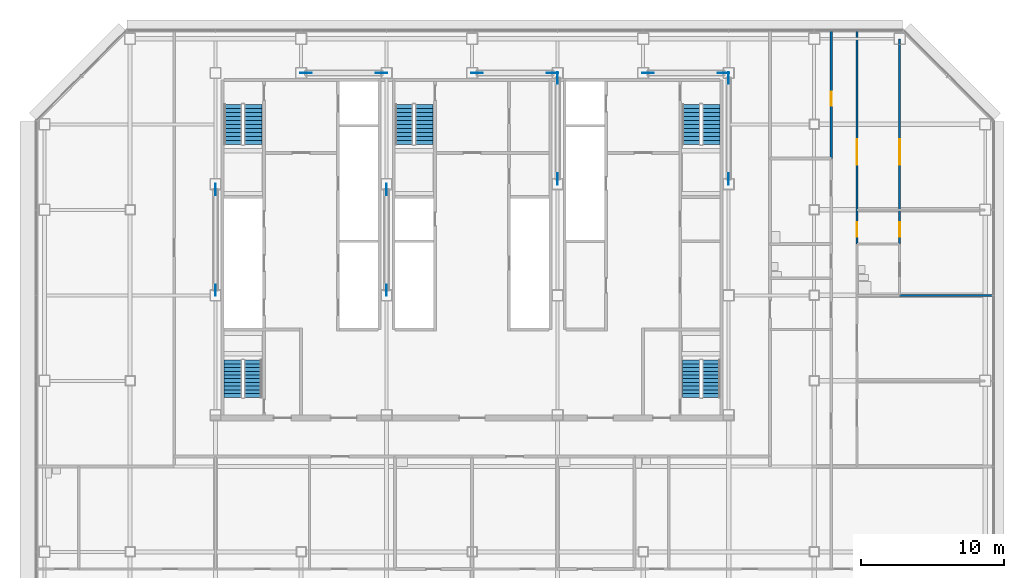
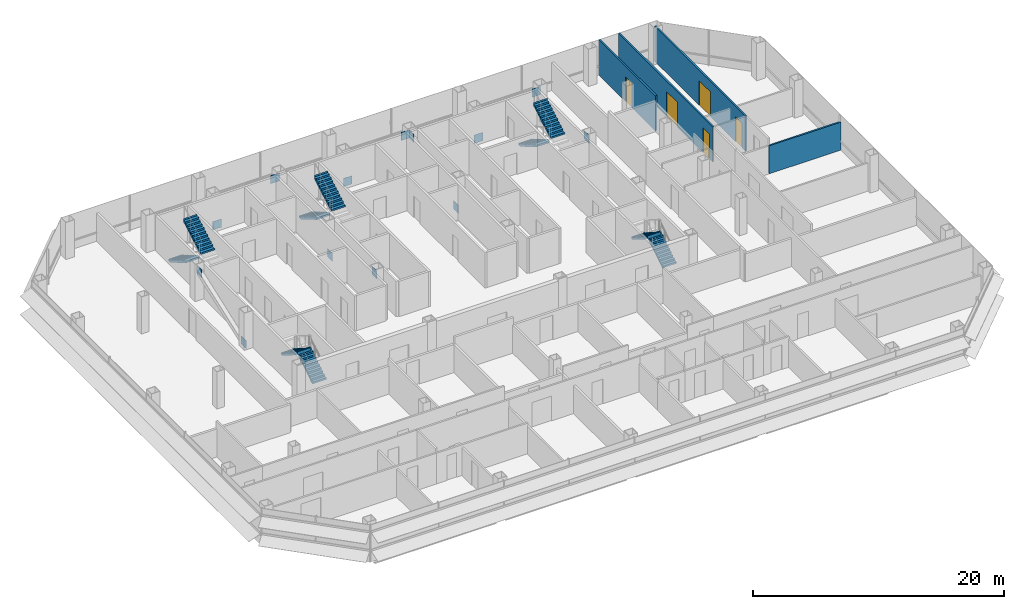
# One storey, part 23 of 25: 14 discrete accessories, 10 stair flights, 5 doors, 4 walls, 5 openings, 5 elements without a shape of their own.
"""IFC4 building model written with IfcOpenShell, lengths in metres."""

from ifc_helpers import new_model, si_unit, direction, frame, frame_2d, origin, origin_2d, place, context, subcontext, project, spatial, polyline, rectangle, outline, extrude, material, layer, layer_set, type_object, element, fill, aggregate, save


model = new_model("IFC4")

# Units and contexts
model_context = context("Model", 3, precision=1e-05, world=origin(), true_north=direction((0.0, 1.0)))
body_context = subcontext(model_context, "Body", "Model", "MODEL_VIEW")
ifc_project = project(units=[si_unit("LENGTHUNIT", "METRE"), si_unit("AREAUNIT", "SQUARE_METRE"), si_unit("VOLUMEUNIT", "CUBIC_METRE"), si_unit("PLANEANGLEUNIT", "RADIAN"), si_unit("MASSUNIT", "GRAM", prefix="KILO")], contexts=[model_context])

# Site, building, storey
site_placement = place(None, origin())
site = spatial("IfcSite", under=ifc_project, at=site_placement, CompositionType="ELEMENT")
building_placement = place(site_placement, origin())
building = spatial("IfcBuilding", under=site, at=building_placement, Name="Sorahane Residences", CompositionType="ELEMENT")
storey_placement = place(building_placement, frame((0.0, 0.0, 119.60009765625)))
storey = spatial("IfcBuildingStorey", under=building, at=storey_placement, Name="L26", CompositionType="ELEMENT", Elevation=119.60009765625)

# Wall, opening, door
ifc_material_1 = material(Name="Gypsum board partition on steel studs", Category="steel")
ifc_layer_1 = layer(ifc_material_1, 0.14990234375)
ifc_layer_set_1 = layer_set([ifc_layer_1], Name="Partition 150 EI 90")
wall_type = type_object("IfcWallType", Name="Partition 150 EI 90", PredefinedType="PARTITIONING", material=ifc_layer_set_1)
wall_1_placement = place(storey_placement, frame((49.199951171875, 39.60009765625, 0.0), z_axis=(0.0, 0.0, 1.0), x_axis=(0.0, 1.0, 0.0)))
wall_1 = element("IfcWall", 1, at=wall_1_placement, inside=storey, type_object=wall_type, Name="L26 partition", PredefinedType="PARTITIONING", context=body_context, shape_type="SweptSolid", body=[
    extrude(rectangle(XDim=9.0, YDim=0.14990234375, at=frame_2d((4.5, 0.0))), origin(), (0.0, 0.0, 1.0), 3.419921875),
])
opening_1_placement = place(wall_1_placement, frame((3.699951171875, 0.0, 0.0)))
opening_1 = element("IfcOpeningElement", 2, at=opening_1_placement, cuts=wall_1, Name="Opening L26-32", PredefinedType="OPENING", context=body_context, shape_type="SweptSolid", body=[
    extrude(rectangle(XDim=1.0, YDim=2.39990234375, at=frame_2d((0.5, 1.199951171875))), frame((0.0, 0.0849609375, 0.0), z_axis=(0.0, -1.0, 0.0), x_axis=(1.0, 0.0, 0.0)), (0.0, 0.0, 1.0), 0.169921875),
])
ifc_material_2 = material(Name="Timber veneered fire door", Category="wood")
door_type_1 = type_object("IfcDoorType", Name="Room door 1000x2400 FD30", OperationType="NOTDEFINED", PredefinedType="DOOR", material=ifc_material_2)
door_1_placement = place(opening_1_placement, origin())
door_1 = element("IfcDoor", 3, at=door_1_placement, inside=storey, type_object=door_type_1, Name="Room door L26-32", OperationType="SINGLE_SWING_RIGHT", OverallHeight=2.39990234375, OverallWidth=1.0, PredefinedType="DOOR", context=body_context, shape_type="SweptSolid", body=[
    extrude(rectangle(XDim=1.0, YDim=2.39990234375, at=frame_2d((0.5, 1.199951171875))), frame((0.0, 0.02490234375, 0.0), z_axis=(0.0, -1.0, 0.0), x_axis=(1.0, 0.0, 0.0)), (0.0, 0.0, 1.0), 0.050048828125),
])
fill(opening_1, door_1)

# Wall, openings, doors
wall_2_placement = place(storey_placement, frame((51.0, 33.60009765625, 0.0), z_axis=(0.0, 0.0, 1.0), x_axis=(0.0, 1.0, 0.0)))
wall_2 = element("IfcWall", 4, at=wall_2_placement, inside=storey, type_object=wall_type, Name="L26 partition", PredefinedType="PARTITIONING", context=body_context, shape_type="SweptSolid", body=[
    extrude(rectangle(XDim=15.0, YDim=0.14990234375, at=frame_2d((7.5, 0.0))), origin(), (0.0, 0.0, 1.0), 3.419921875),
])
opening_2_placement = place(wall_2_placement, frame((0.52001953125, 0.0, 0.0)))
opening_2 = element("IfcOpeningElement", 5, at=opening_2_placement, cuts=wall_2, Name="Opening L26-35", PredefinedType="OPENING", context=body_context, shape_type="SweptSolid", body=[
    extrude(rectangle(XDim=1.0, YDim=2.39990234375, at=frame_2d((0.5, 1.199951171875))), frame((0.0, 0.0849609375, 0.0), z_axis=(0.0, -1.0, 0.0), x_axis=(1.0, 0.0, 0.0)), (0.0, 0.0, 1.0), 0.169921875),
])
opening_3_placement = place(wall_2_placement, frame((5.56005859375, 0.0, 0.0)))
opening_3 = element("IfcOpeningElement", 6, at=opening_3_placement, cuts=wall_2, Name="Opening L26-36", PredefinedType="OPENING", context=body_context, shape_type="SweptSolid", body=[
    extrude(rectangle(XDim=1.800048828125, YDim=2.39990234375, at=frame_2d((0.89990234375, 1.199951171875))), frame((0.0, 0.0849609375, 0.0), z_axis=(0.0, -1.0, 0.0), x_axis=(1.0, 0.0, 0.0)), (0.0, 0.0, 1.0), 0.169921875),
])
ifc_material_3 = material(Name="Timber veneered fire door", Category="wood")
door_type_2 = type_object("IfcDoorType", Name="Double door 1800x2400 FD30", OperationType="NOTDEFINED", PredefinedType="DOOR", material=ifc_material_3)
door_2_placement = place(opening_3_placement, frame((1.800048828125, 0.0, 0.0), z_axis=(0.0, 0.0, 1.0), x_axis=(-1.0, 0.0, 0.0)))
door_2 = element("IfcDoor", 7, at=door_2_placement, inside=storey, type_object=door_type_2, Name="Double door L26-36", OperationType="SINGLE_SWING_RIGHT", OverallHeight=2.39990234375, OverallWidth=1.800048828125, PredefinedType="DOOR", context=body_context, shape_type="SweptSolid", body=[
    extrude(rectangle(XDim=1.800048828125, YDim=2.39990234375, at=frame_2d((0.89990234375, 1.199951171875))), frame((0.0, 0.02490234375, 0.0), z_axis=(0.0, -1.0, 0.0), x_axis=(1.0, 0.0, 0.0)), (0.0, 0.0, 1.0), 0.050048828125),
])
fill(opening_3, door_2)
door_3_placement = place(opening_2_placement, frame((1.0, 0.0, 0.0), z_axis=(0.0, 0.0, 1.0), x_axis=(-1.0, 0.0, 0.0)))
door_3 = element("IfcDoor", 8, at=door_3_placement, inside=storey, type_object=door_type_1, Name="Room door L26-35", OperationType="SINGLE_SWING_LEFT", OverallHeight=2.39990234375, OverallWidth=1.0, PredefinedType="DOOR", context=body_context, shape_type="SweptSolid", body=[
    extrude(rectangle(XDim=1.0, YDim=2.39990234375, at=frame_2d((0.5, 1.199951171875))), frame((0.0, 0.02490234375, 0.0), z_axis=(0.0, -1.0, 0.0), x_axis=(1.0, 0.0, 0.0)), (0.0, 0.0, 1.0), 0.050048828125),
])
fill(opening_2, door_3)

wall_3_placement = place(storey_placement, frame((54.0, 33.60009765625, 0.0), z_axis=(0.0, 0.0, 1.0), x_axis=(0.0, 1.0, 0.0)))
wall_3 = element("IfcWall", 9, at=wall_3_placement, inside=storey, type_object=wall_type, Name="L26 partition", PredefinedType="PARTITIONING", context=body_context, shape_type="SweptSolid", body=[
    extrude(rectangle(XDim=14.39990234375, YDim=0.14990234375, at=frame_2d((7.199951171875, 0.0))), origin(), (0.0, 0.0, 1.0), 3.419921875),
])
opening_4_placement = place(wall_3_placement, frame((0.52001953125, 0.0, 0.0)))
opening_4 = element("IfcOpeningElement", 10, at=opening_4_placement, cuts=wall_3, Name="Opening L26-37", PredefinedType="OPENING", context=body_context, shape_type="SweptSolid", body=[
    extrude(rectangle(XDim=1.0, YDim=2.39990234375, at=frame_2d((0.5, 1.199951171875))), frame((0.0, 0.0849609375, 0.0), z_axis=(0.0, -1.0, 0.0), x_axis=(1.0, 0.0, 0.0)), (0.0, 0.0, 1.0), 0.169921875),
])
opening_5_placement = place(wall_3_placement, frame((5.56005859375, 0.0, 0.0)))
opening_5 = element("IfcOpeningElement", 11, at=opening_5_placement, cuts=wall_3, Name="Opening L26-39", PredefinedType="OPENING", context=body_context, shape_type="SweptSolid", body=[
    extrude(rectangle(XDim=1.800048828125, YDim=2.39990234375, at=frame_2d((0.89990234375, 1.199951171875))), frame((0.0, 0.0849609375, 0.0), z_axis=(0.0, -1.0, 0.0), x_axis=(1.0, 0.0, 0.0)), (0.0, 0.0, 1.0), 0.169921875),
])
door_4_placement = place(opening_5_placement, frame((1.800048828125, 0.0, 0.0), z_axis=(0.0, 0.0, 1.0), x_axis=(-1.0, 0.0, 0.0)))
door_4 = element("IfcDoor", 12, at=door_4_placement, inside=storey, type_object=door_type_2, Name="Double door L26-39", OperationType="SINGLE_SWING_LEFT", OverallHeight=2.39990234375, OverallWidth=1.800048828125, PredefinedType="DOOR", context=body_context, shape_type="SweptSolid", body=[
    extrude(rectangle(XDim=1.800048828125, YDim=2.39990234375, at=frame_2d((0.89990234375, 1.199951171875))), frame((0.0, 0.02490234375, 0.0), z_axis=(0.0, -1.0, 0.0), x_axis=(1.0, 0.0, 0.0)), (0.0, 0.0, 1.0), 0.050048828125),
])
fill(opening_5, door_4)
door_5_placement = place(opening_4_placement, frame((1.0, 0.0, 0.0), z_axis=(0.0, 0.0, 1.0), x_axis=(-1.0, 0.0, 0.0)))
door_5 = element("IfcDoor", 13, at=door_5_placement, inside=storey, type_object=door_type_1, Name="Room door L26-37", OperationType="SINGLE_SWING_LEFT", OverallHeight=2.39990234375, OverallWidth=1.0, PredefinedType="DOOR", context=body_context, shape_type="SweptSolid", body=[
    extrude(rectangle(XDim=1.0, YDim=2.39990234375, at=frame_2d((0.5, 1.199951171875))), frame((0.0, 0.02490234375, 0.0), z_axis=(0.0, -1.0, 0.0), x_axis=(1.0, 0.0, 0.0)), (0.0, 0.0, 1.0), 0.050048828125),
])
fill(opening_4, door_5)

# Wall
wall_4_placement = place(storey_placement, frame((54.0, 30.0, 0.0), z_axis=(0.0, 0.0, 1.0), x_axis=(1.0, 0.0, 0.0)))
element("IfcWall", 14, at=wall_4_placement, inside=storey, type_object=wall_type, Name="L26 partition", PredefinedType="PARTITIONING", context=body_context, shape_type="SweptSolid", body=[
    extrude(rectangle(XDim=6.60009765625, YDim=0.14990234375, at=frame_2d((3.300048828125, 0.0))), origin(), (0.0, 0.0, 1.0), 2.719970703125),
])

# Stair, stair flights
ifc_material_4 = material(Name="Concrete C40", Category="concrete")
stair_type = type_object("IfcStairType", Name="Dog-leg stair 1250 Concrete C40", PredefinedType="HALF_TURN_STAIR", material=ifc_material_4)
stair_1_placement = place(storey_placement, origin())
stair_1 = element("IfcStair", 15, at=stair_1_placement, inside=storey, type_object=stair_type, Name="L26 Stair S1", PredefinedType="HALF_TURN_STAIR")
ifc_material_5 = material(Name="Concrete C40", Category="concrete")
stair_flight_type = type_object("IfcStairFlightType", Name="Stair flight 1250 Concrete C40", PredefinedType="STRAIGHT", material=ifc_material_5)
stair_flight_1_placement = place(storey_placement, frame((7.22509765625, 43.39990234375, 0.0), z_axis=(0.0, 0.0, 1.0), x_axis=(0.0, -1.0, 0.0)))
stair_flight_1 = element("IfcStairFlight", 16, at=stair_flight_1_placement, type_object=stair_flight_type, Name="S1 flight 1", NumberOfRisers=11, NumberOfTreads=10, PredefinedType="STRAIGHT", RiserHeight=0.163636364, TreadLength=0.28, context=body_context, shape_type="SweptSolid", body=[
    extrude(outline(polyline([(-0.00146484375, 0.0), (-0.00146484375, 0.16357421875), (0.0, 0.16357421875), (0.280029296875, 0.16357421875), (0.280029296875, 0.327392578125), (0.56005859375, 0.327392578125), (0.56005859375, 0.490966796875), (0.840087890625, 0.490966796875), (0.840087890625, 0.654541015625), (1.1201171875, 0.654541015625), (1.1201171875, 0.818115234375), (1.39990234375, 0.818115234375), (1.39990234375, 0.98193359375), (1.679931640625, 0.98193359375), (1.679931640625, 1.1455078125), (1.9599609375, 1.1455078125), (1.9599609375, 1.30908203125), (2.239990234375, 1.30908203125), (2.239990234375, 1.47265625), (2.52001953125, 1.47265625), (2.52001953125, 1.636474609375), (2.800048828125, 1.636474609375), (2.800048828125, 1.800048828125), (2.800048828125, 1.462646484375), (2.59130859375, 1.3408203125), (2.3828125, 1.218994140625), (2.17431640625, 1.09716796875), (1.965576171875, 0.97509765625), (1.757080078125, 0.853271484375), (1.548583984375, 0.7314453125), (1.340087890625, 0.609375), (1.13134765625, 0.487548828125), (0.9228515625, 0.36572265625), (0.71435546875, 0.243896484375), (0.505615234375, 0.121826171875), (0.297119140625, 0.0), (-0.00146484375, 0.0)])), frame((0.0, 0.625, 0.0), z_axis=(0.0, -1.0, 0.0), x_axis=(1.0, 0.0, 0.0)), (0.0, 0.0, 1.0), 1.25),
])
stair_flight_2_placement = place(storey_placement, frame((8.625, 40.60009765625, 1.7998046875), z_axis=(0.0, 0.0, 1.0), x_axis=(0.0, 1.0, 0.0)))
stair_flight_2 = element("IfcStairFlight", 17, at=stair_flight_2_placement, type_object=stair_flight_type, Name="S1 flight 2", NumberOfRisers=11, NumberOfTreads=10, PredefinedType="STRAIGHT", RiserHeight=0.163636364, TreadLength=0.28, context=body_context, shape_type="SweptSolid", body=[
    extrude(outline(polyline([(0.0, 0.0), (0.0, 0.16357421875), (0.280029296875, 0.16357421875), (0.280029296875, 0.327392578125), (0.56005859375, 0.327392578125), (0.56005859375, 0.490966796875), (0.840087890625, 0.490966796875), (0.840087890625, 0.654541015625), (1.1201171875, 0.654541015625), (1.1201171875, 0.818115234375), (1.39990234375, 0.818115234375), (1.39990234375, 0.98193359375), (1.679931640625, 0.98193359375), (1.679931640625, 1.1455078125), (1.9599609375, 1.1455078125), (1.9599609375, 1.30908203125), (2.239990234375, 1.30908203125), (2.239990234375, 1.47265625), (2.52001953125, 1.47265625), (2.52001953125, 1.636474609375), (2.800048828125, 1.636474609375), (2.800048828125, 1.800048828125), (2.801513671875, 1.800048828125), (2.801513671875, 1.462646484375), (2.5927734375, 1.3408203125), (2.384033203125, 1.218994140625), (2.17529296875, 1.09716796875), (1.966796875, 0.97509765625), (1.758056640625, 0.853271484375), (1.54931640625, 0.7314453125), (1.340576171875, 0.609375), (1.1318359375, 0.487548828125), (0.923095703125, 0.36572265625), (0.714599609375, 0.243896484375), (0.505859375, 0.121826171875), (0.297119140625, 0.0), (0.0, 0.0)])), frame((0.0, 0.625, 0.0), z_axis=(0.0, -1.0, 0.0), x_axis=(1.0, 0.0, 0.0)), (0.0, 0.0, 1.0), 1.25),
])
aggregate(stair_1, [stair_flight_1, stair_flight_2])

stair_2_placement = place(storey_placement, origin())
stair_2 = element("IfcStair", 18, at=stair_2_placement, inside=storey, type_object=stair_type, Name="L26 Stair S2", PredefinedType="HALF_TURN_STAIR")
stair_flight_3_placement = place(storey_placement, frame((39.375, 43.39990234375, 0.0), z_axis=(0.0, 0.0, 1.0), x_axis=(0.0, -1.0, 0.0)))
stair_flight_3 = element("IfcStairFlight", 19, at=stair_flight_3_placement, type_object=stair_flight_type, Name="S2 flight 1", NumberOfRisers=11, NumberOfTreads=10, PredefinedType="STRAIGHT", RiserHeight=0.163636364, TreadLength=0.28, context=body_context, shape_type="SweptSolid", body=[
    extrude(outline(polyline([(-0.00146484375, 0.0), (-0.00146484375, 0.16357421875), (0.0, 0.16357421875), (0.280029296875, 0.16357421875), (0.280029296875, 0.327392578125), (0.56005859375, 0.327392578125), (0.56005859375, 0.490966796875), (0.840087890625, 0.490966796875), (0.840087890625, 0.654541015625), (1.1201171875, 0.654541015625), (1.1201171875, 0.818115234375), (1.39990234375, 0.818115234375), (1.39990234375, 0.98193359375), (1.679931640625, 0.98193359375), (1.679931640625, 1.1455078125), (1.9599609375, 1.1455078125), (1.9599609375, 1.30908203125), (2.239990234375, 1.30908203125), (2.239990234375, 1.47265625), (2.52001953125, 1.47265625), (2.52001953125, 1.636474609375), (2.800048828125, 1.636474609375), (2.800048828125, 1.800048828125), (2.800048828125, 1.462646484375), (2.59130859375, 1.3408203125), (2.3828125, 1.218994140625), (2.17431640625, 1.09716796875), (1.965576171875, 0.97509765625), (1.757080078125, 0.853271484375), (1.548583984375, 0.7314453125), (1.340087890625, 0.609375), (1.13134765625, 0.487548828125), (0.9228515625, 0.36572265625), (0.71435546875, 0.243896484375), (0.505615234375, 0.121826171875), (0.297119140625, 0.0), (-0.00146484375, 0.0)])), frame((0.0, 0.625, 0.0), z_axis=(0.0, -1.0, 0.0), x_axis=(1.0, 0.0, 0.0)), (0.0, 0.0, 1.0), 1.25),
])
stair_flight_4_placement = place(storey_placement, frame((40.77490234375, 40.60009765625, 1.7998046875), z_axis=(0.0, 0.0, 1.0), x_axis=(0.0, 1.0, 0.0)))
stair_flight_4 = element("IfcStairFlight", 20, at=stair_flight_4_placement, type_object=stair_flight_type, Name="S2 flight 2", NumberOfRisers=11, NumberOfTreads=10, PredefinedType="STRAIGHT", RiserHeight=0.163636364, TreadLength=0.28, context=body_context, shape_type="SweptSolid", body=[
    extrude(outline(polyline([(0.0, 0.0), (0.0, 0.16357421875), (0.280029296875, 0.16357421875), (0.280029296875, 0.327392578125), (0.56005859375, 0.327392578125), (0.56005859375, 0.490966796875), (0.840087890625, 0.490966796875), (0.840087890625, 0.654541015625), (1.1201171875, 0.654541015625), (1.1201171875, 0.818115234375), (1.39990234375, 0.818115234375), (1.39990234375, 0.98193359375), (1.679931640625, 0.98193359375), (1.679931640625, 1.1455078125), (1.9599609375, 1.1455078125), (1.9599609375, 1.30908203125), (2.239990234375, 1.30908203125), (2.239990234375, 1.47265625), (2.52001953125, 1.47265625), (2.52001953125, 1.636474609375), (2.800048828125, 1.636474609375), (2.800048828125, 1.800048828125), (2.801513671875, 1.800048828125), (2.801513671875, 1.462646484375), (2.5927734375, 1.3408203125), (2.384033203125, 1.218994140625), (2.17529296875, 1.09716796875), (1.966796875, 0.97509765625), (1.758056640625, 0.853271484375), (1.54931640625, 0.7314453125), (1.340576171875, 0.609375), (1.1318359375, 0.487548828125), (0.923095703125, 0.36572265625), (0.714599609375, 0.243896484375), (0.505859375, 0.121826171875), (0.297119140625, 0.0), (0.0, 0.0)])), frame((0.0, 0.625, 0.0), z_axis=(0.0, -1.0, 0.0), x_axis=(1.0, 0.0, 0.0)), (0.0, 0.0, 1.0), 1.25),
])
aggregate(stair_2, [stair_flight_3, stair_flight_4])

stair_3_placement = place(storey_placement, origin())
stair_3 = element("IfcStair", 21, at=stair_3_placement, inside=storey, type_object=stair_type, Name="L26 Stair S3", PredefinedType="HALF_TURN_STAIR")
stair_flight_5_placement = place(storey_placement, frame((19.22509765625, 43.39990234375, 0.0), z_axis=(0.0, 0.0, 1.0), x_axis=(0.0, -1.0, 0.0)))
stair_flight_5 = element("IfcStairFlight", 22, at=stair_flight_5_placement, type_object=stair_flight_type, Name="S3 flight 1", NumberOfRisers=11, NumberOfTreads=10, PredefinedType="STRAIGHT", RiserHeight=0.163636364, TreadLength=0.28, context=body_context, shape_type="SweptSolid", body=[
    extrude(outline(polyline([(-0.00146484375, 0.0), (-0.00146484375, 0.16357421875), (0.0, 0.16357421875), (0.280029296875, 0.16357421875), (0.280029296875, 0.327392578125), (0.56005859375, 0.327392578125), (0.56005859375, 0.490966796875), (0.840087890625, 0.490966796875), (0.840087890625, 0.654541015625), (1.1201171875, 0.654541015625), (1.1201171875, 0.818115234375), (1.39990234375, 0.818115234375), (1.39990234375, 0.98193359375), (1.679931640625, 0.98193359375), (1.679931640625, 1.1455078125), (1.9599609375, 1.1455078125), (1.9599609375, 1.30908203125), (2.239990234375, 1.30908203125), (2.239990234375, 1.47265625), (2.52001953125, 1.47265625), (2.52001953125, 1.636474609375), (2.800048828125, 1.636474609375), (2.800048828125, 1.800048828125), (2.800048828125, 1.462646484375), (2.59130859375, 1.3408203125), (2.3828125, 1.218994140625), (2.17431640625, 1.09716796875), (1.965576171875, 0.97509765625), (1.757080078125, 0.853271484375), (1.548583984375, 0.7314453125), (1.340087890625, 0.609375), (1.13134765625, 0.487548828125), (0.9228515625, 0.36572265625), (0.71435546875, 0.243896484375), (0.505615234375, 0.121826171875), (0.297119140625, 0.0), (-0.00146484375, 0.0)])), frame((0.0, 0.625, 0.0), z_axis=(0.0, -1.0, 0.0), x_axis=(1.0, 0.0, 0.0)), (0.0, 0.0, 1.0), 1.25),
])
stair_flight_6_placement = place(storey_placement, frame((20.625, 40.60009765625, 1.7998046875), z_axis=(0.0, 0.0, 1.0), x_axis=(0.0, 1.0, 0.0)))
stair_flight_6 = element("IfcStairFlight", 23, at=stair_flight_6_placement, type_object=stair_flight_type, Name="S3 flight 2", NumberOfRisers=11, NumberOfTreads=10, PredefinedType="STRAIGHT", RiserHeight=0.163636364, TreadLength=0.28, context=body_context, shape_type="SweptSolid", body=[
    extrude(outline(polyline([(0.0, 0.0), (0.0, 0.16357421875), (0.280029296875, 0.16357421875), (0.280029296875, 0.327392578125), (0.56005859375, 0.327392578125), (0.56005859375, 0.490966796875), (0.840087890625, 0.490966796875), (0.840087890625, 0.654541015625), (1.1201171875, 0.654541015625), (1.1201171875, 0.818115234375), (1.39990234375, 0.818115234375), (1.39990234375, 0.98193359375), (1.679931640625, 0.98193359375), (1.679931640625, 1.1455078125), (1.9599609375, 1.1455078125), (1.9599609375, 1.30908203125), (2.239990234375, 1.30908203125), (2.239990234375, 1.47265625), (2.52001953125, 1.47265625), (2.52001953125, 1.636474609375), (2.800048828125, 1.636474609375), (2.800048828125, 1.800048828125), (2.801513671875, 1.800048828125), (2.801513671875, 1.462646484375), (2.5927734375, 1.3408203125), (2.384033203125, 1.218994140625), (2.17529296875, 1.09716796875), (1.966796875, 0.97509765625), (1.758056640625, 0.853271484375), (1.54931640625, 0.7314453125), (1.340576171875, 0.609375), (1.1318359375, 0.487548828125), (0.923095703125, 0.36572265625), (0.714599609375, 0.243896484375), (0.505859375, 0.121826171875), (0.297119140625, 0.0), (0.0, 0.0)])), frame((0.0, 0.625, 0.0), z_axis=(0.0, -1.0, 0.0), x_axis=(1.0, 0.0, 0.0)), (0.0, 0.0, 1.0), 1.25),
])
aggregate(stair_3, [stair_flight_5, stair_flight_6])

stair_4_placement = place(storey_placement, origin())
stair_4 = element("IfcStair", 24, at=stair_4_placement, inside=storey, type_object=stair_type, Name="L26 Stair S4", PredefinedType="HALF_TURN_STAIR")
stair_flight_7_placement = place(storey_placement, frame((8.625, 22.85009765625, 0.0), z_axis=(0.0, 0.0, 1.0), x_axis=(0.0, 1.0, 0.0)))
stair_flight_7 = element("IfcStairFlight", 25, at=stair_flight_7_placement, type_object=stair_flight_type, Name="S4 flight 1", NumberOfRisers=11, NumberOfTreads=10, PredefinedType="STRAIGHT", RiserHeight=0.163636364, TreadLength=0.26, context=body_context, shape_type="SweptSolid", body=[
    extrude(outline(polyline([(-0.00146484375, 0.0), (-0.00146484375, 0.16357421875), (0.0, 0.16357421875), (0.260009765625, 0.16357421875), (0.260009765625, 0.327392578125), (0.52001953125, 0.327392578125), (0.52001953125, 0.490966796875), (0.780029296875, 0.490966796875), (0.780029296875, 0.654541015625), (1.0400390625, 0.654541015625), (1.0400390625, 0.818115234375), (1.300048828125, 0.818115234375), (1.300048828125, 0.98193359375), (1.56005859375, 0.98193359375), (1.56005859375, 1.1455078125), (1.820068359375, 1.1455078125), (1.820068359375, 1.30908203125), (2.080078125, 1.30908203125), (2.080078125, 1.47265625), (2.340087890625, 1.47265625), (2.340087890625, 1.636474609375), (2.60009765625, 1.636474609375), (2.60009765625, 1.800048828125), (2.60009765625, 1.494384765625), (2.402099609375, 1.369873046875), (2.204345703125, 1.245361328125), (2.00634765625, 1.120849609375), (1.80859375, 0.996337890625), (1.610595703125, 0.871826171875), (1.412841796875, 0.747314453125), (1.21484375, 0.622802734375), (1.01708984375, 0.498046875), (0.819091796875, 0.37353515625), (0.621337890625, 0.2490234375), (0.42333984375, 0.12451171875), (0.2255859375, 0.0), (-0.00146484375, 0.0)])), frame((0.0, 0.625, 0.0), z_axis=(0.0, -1.0, 0.0), x_axis=(1.0, 0.0, 0.0)), (0.0, 0.0, 1.0), 1.25),
])
stair_flight_8_placement = place(storey_placement, frame((7.22509765625, 25.449951171875, 1.7998046875), z_axis=(0.0, 0.0, 1.0), x_axis=(0.0, -1.0, 0.0)))
stair_flight_8 = element("IfcStairFlight", 26, at=stair_flight_8_placement, type_object=stair_flight_type, Name="S4 flight 2", NumberOfRisers=11, NumberOfTreads=10, PredefinedType="STRAIGHT", RiserHeight=0.163636364, TreadLength=0.26, context=body_context, shape_type="SweptSolid", body=[
    extrude(outline(polyline([(0.0, 0.0), (0.0, 0.16357421875), (0.260009765625, 0.16357421875), (0.260009765625, 0.327392578125), (0.52001953125, 0.327392578125), (0.52001953125, 0.490966796875), (0.780029296875, 0.490966796875), (0.780029296875, 0.654541015625), (1.0400390625, 0.654541015625), (1.0400390625, 0.818115234375), (1.300048828125, 0.818115234375), (1.300048828125, 0.98193359375), (1.56005859375, 0.98193359375), (1.56005859375, 1.1455078125), (1.820068359375, 1.1455078125), (1.820068359375, 1.30908203125), (2.080078125, 1.30908203125), (2.080078125, 1.47265625), (2.340087890625, 1.47265625), (2.340087890625, 1.636474609375), (2.60009765625, 1.636474609375), (2.60009765625, 1.800048828125), (2.6015625, 1.800048828125), (2.6015625, 1.494384765625), (2.403564453125, 1.369873046875), (2.20556640625, 1.245361328125), (2.007568359375, 1.120849609375), (1.8095703125, 0.996337890625), (1.611572265625, 0.871826171875), (1.41357421875, 0.747314453125), (1.215576171875, 0.622802734375), (1.017578125, 0.498046875), (0.819580078125, 0.37353515625), (0.62158203125, 0.2490234375), (0.423583984375, 0.12451171875), (0.2255859375, 0.0), (0.0, 0.0)])), frame((0.0, 0.625, 0.0), z_axis=(0.0, -1.0, 0.0), x_axis=(1.0, 0.0, 0.0)), (0.0, 0.0, 1.0), 1.25),
])
aggregate(stair_4, [stair_flight_7, stair_flight_8])

stair_5_placement = place(storey_placement, origin())
stair_5 = element("IfcStair", 27, at=stair_5_placement, inside=storey, type_object=stair_type, Name="L26 Stair S5", PredefinedType="HALF_TURN_STAIR")
stair_flight_9_placement = place(storey_placement, frame((40.77490234375, 22.85009765625, 0.0), z_axis=(0.0, 0.0, 1.0), x_axis=(0.0, 1.0, 0.0)))
stair_flight_9 = element("IfcStairFlight", 28, at=stair_flight_9_placement, type_object=stair_flight_type, Name="S5 flight 1", NumberOfRisers=11, NumberOfTreads=10, PredefinedType="STRAIGHT", RiserHeight=0.163636364, TreadLength=0.26, context=body_context, shape_type="SweptSolid", body=[
    extrude(outline(polyline([(-0.00146484375, 0.0), (-0.00146484375, 0.16357421875), (0.0, 0.16357421875), (0.260009765625, 0.16357421875), (0.260009765625, 0.327392578125), (0.52001953125, 0.327392578125), (0.52001953125, 0.490966796875), (0.780029296875, 0.490966796875), (0.780029296875, 0.654541015625), (1.0400390625, 0.654541015625), (1.0400390625, 0.818115234375), (1.300048828125, 0.818115234375), (1.300048828125, 0.98193359375), (1.56005859375, 0.98193359375), (1.56005859375, 1.1455078125), (1.820068359375, 1.1455078125), (1.820068359375, 1.30908203125), (2.080078125, 1.30908203125), (2.080078125, 1.47265625), (2.340087890625, 1.47265625), (2.340087890625, 1.636474609375), (2.60009765625, 1.636474609375), (2.60009765625, 1.800048828125), (2.60009765625, 1.494384765625), (2.402099609375, 1.369873046875), (2.204345703125, 1.245361328125), (2.00634765625, 1.120849609375), (1.80859375, 0.996337890625), (1.610595703125, 0.871826171875), (1.412841796875, 0.747314453125), (1.21484375, 0.622802734375), (1.01708984375, 0.498046875), (0.819091796875, 0.37353515625), (0.621337890625, 0.2490234375), (0.42333984375, 0.12451171875), (0.2255859375, 0.0), (-0.00146484375, 0.0)])), frame((0.0, 0.625, 0.0), z_axis=(0.0, -1.0, 0.0), x_axis=(1.0, 0.0, 0.0)), (0.0, 0.0, 1.0), 1.25),
])
stair_flight_10_placement = place(storey_placement, frame((39.375, 25.449951171875, 1.7998046875), z_axis=(0.0, 0.0, 1.0), x_axis=(0.0, -1.0, 0.0)))
stair_flight_10 = element("IfcStairFlight", 29, at=stair_flight_10_placement, type_object=stair_flight_type, Name="S5 flight 2", NumberOfRisers=11, NumberOfTreads=10, PredefinedType="STRAIGHT", RiserHeight=0.163636364, TreadLength=0.26, context=body_context, shape_type="SweptSolid", body=[
    extrude(outline(polyline([(0.0, 0.0), (0.0, 0.16357421875), (0.260009765625, 0.16357421875), (0.260009765625, 0.327392578125), (0.52001953125, 0.327392578125), (0.52001953125, 0.490966796875), (0.780029296875, 0.490966796875), (0.780029296875, 0.654541015625), (1.0400390625, 0.654541015625), (1.0400390625, 0.818115234375), (1.300048828125, 0.818115234375), (1.300048828125, 0.98193359375), (1.56005859375, 0.98193359375), (1.56005859375, 1.1455078125), (1.820068359375, 1.1455078125), (1.820068359375, 1.30908203125), (2.080078125, 1.30908203125), (2.080078125, 1.47265625), (2.340087890625, 1.47265625), (2.340087890625, 1.636474609375), (2.60009765625, 1.636474609375), (2.60009765625, 1.800048828125), (2.6015625, 1.800048828125), (2.6015625, 1.494384765625), (2.403564453125, 1.369873046875), (2.20556640625, 1.245361328125), (2.007568359375, 1.120849609375), (1.8095703125, 0.996337890625), (1.611572265625, 0.871826171875), (1.41357421875, 0.747314453125), (1.215576171875, 0.622802734375), (1.017578125, 0.498046875), (0.819580078125, 0.37353515625), (0.62158203125, 0.2490234375), (0.423583984375, 0.12451171875), (0.2255859375, 0.0), (0.0, 0.0)])), frame((0.0, 0.625, 0.0), z_axis=(0.0, -1.0, 0.0), x_axis=(1.0, 0.0, 0.0)), (0.0, 0.0, 1.0), 1.25),
])
aggregate(stair_5, [stair_flight_9, stair_flight_10])

# Discrete accessories
ifc_material_6 = material(Name="Steel Q355B", Category="steel")
ifc_layer_2 = layer(ifc_material_6, 0.02490234375)
ifc_layer_set_2 = layer_set([ifc_layer_2], Name="Node plate Steel Q355B 25")
discrete_accessory_type = type_object("IfcDiscreteAccessoryType", Name="Node plate Steel Q355B 25", PredefinedType="BRACKET", material=ifc_layer_set_2)
for number, where, z_axis, x_axis, name in (
    (30, (6.0, 30.358642578125, -0.21533203125), (0.0, 0.0, 1.0), (0.0, 1.0, 0.0), "Node plate L26 br"),
    (31, (6.0, 37.44140625, 2.38525390625), (0.0, 0.0, 1.0), (0.0, 1.0, 0.0), "Node plate L26 br"),
    (32, (18.0, 37.44140625, -0.21533203125), (0.0, 0.0, 1.0), (0.0, 1.0, 0.0), "Node plate L26 br"),
    (33, (18.0, 30.358642578125, 2.38525390625), (0.0, 0.0, 1.0), (0.0, 1.0, 0.0), "Node plate L26 br"),
    (34, (30.0, 38.15869140625, -0.21533203125), (0.0, 0.0, 1.0), (0.0, 1.0, 0.0), "Node plate L26 br"),
    (35, (30.0, 45.241455078125, 2.38525390625), (0.0, 0.0, 1.0), (0.0, 1.0, 0.0), "Node plate L26 br"),
    (36, (42.0, 45.241455078125, -0.21533203125), (0.0, 0.0, 1.0), (0.0, 1.0, 0.0), "Node plate L26 br"),
    (37, (42.0, 38.15869140625, 2.38525390625), (0.0, 0.0, 1.0), (0.0, 1.0, 0.0), "Node plate L26 br"),
    (38, (12.3466796875, 45.60009765625, -0.2265625), (0.0, 0.0, 1.0), (1.0, 0.0, 0.0), "Node plate L26 br"),
    (39, (24.3466796875, 45.60009765625, -0.2265625), (0.0, 0.0, 1.0), (1.0, 0.0, 0.0), "Node plate L26 br"),
    (40, (36.3466796875, 45.60009765625, -0.2265625), (0.0, 0.0, 1.0), (1.0, 0.0, 0.0), "Node plate L26 br"),
    (41, (17.6533203125, 45.60009765625, 2.39599609375), (0.0, 0.0, 1.0), (1.0, 0.0, 0.0), "Node plate L26 br"),
    (42, (29.6533203125, 45.60009765625, 2.39599609375), (0.0, 0.0, 1.0), (1.0, 0.0, 0.0), "Node plate L26 br"),
    (43, (41.6533203125, 45.60009765625, 2.39599609375), (0.0, 0.0, 1.0), (1.0, 0.0, 0.0), "Node plate L26 br"),
):
    element("IfcDiscreteAccessory", number, at=place(storey_placement, frame(where, z_axis=z_axis, x_axis=x_axis)), inside=storey, type_object=discrete_accessory_type, Name=name, PredefinedType="BRACKET", context=body_context, shape_type="SweptSolid", body=[
        extrude(rectangle(XDim=0.800048828125, YDim=0.02490234375, at=origin_2d()), origin(), (0.0, 0.0, 1.0), 0.800048828125),
    ])

save(model, "model.ifc")
